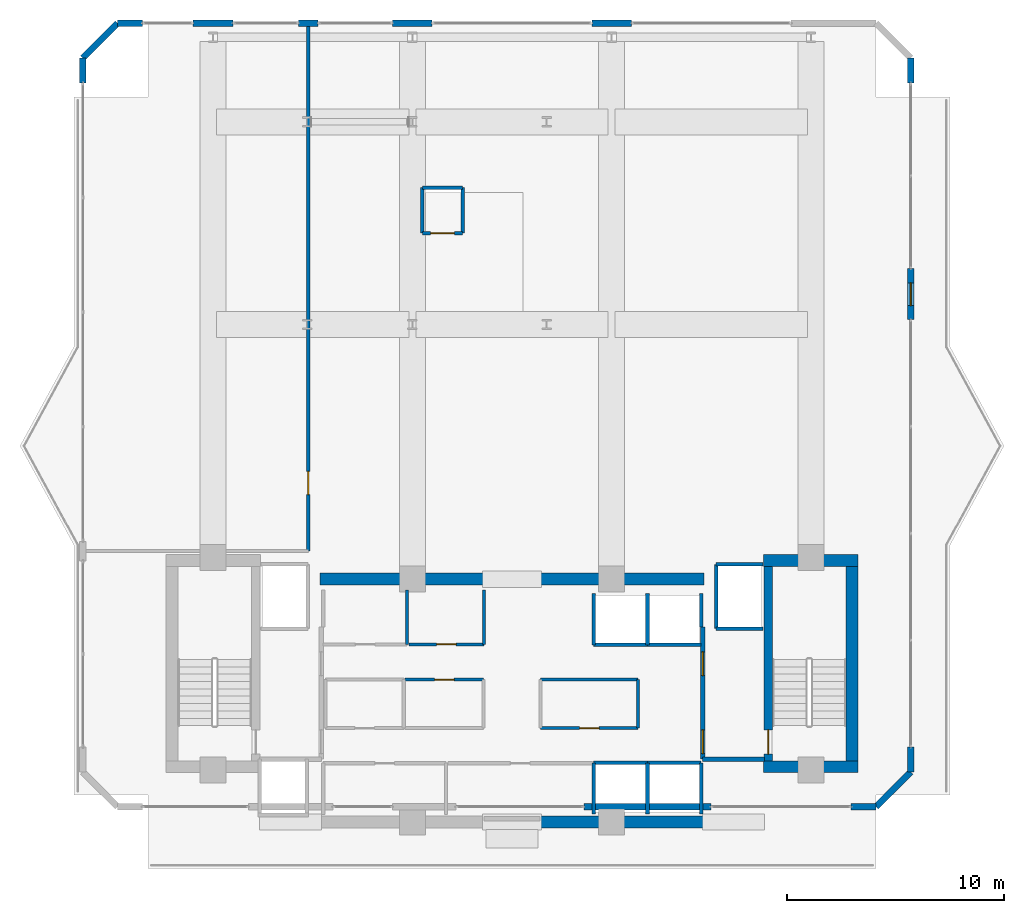
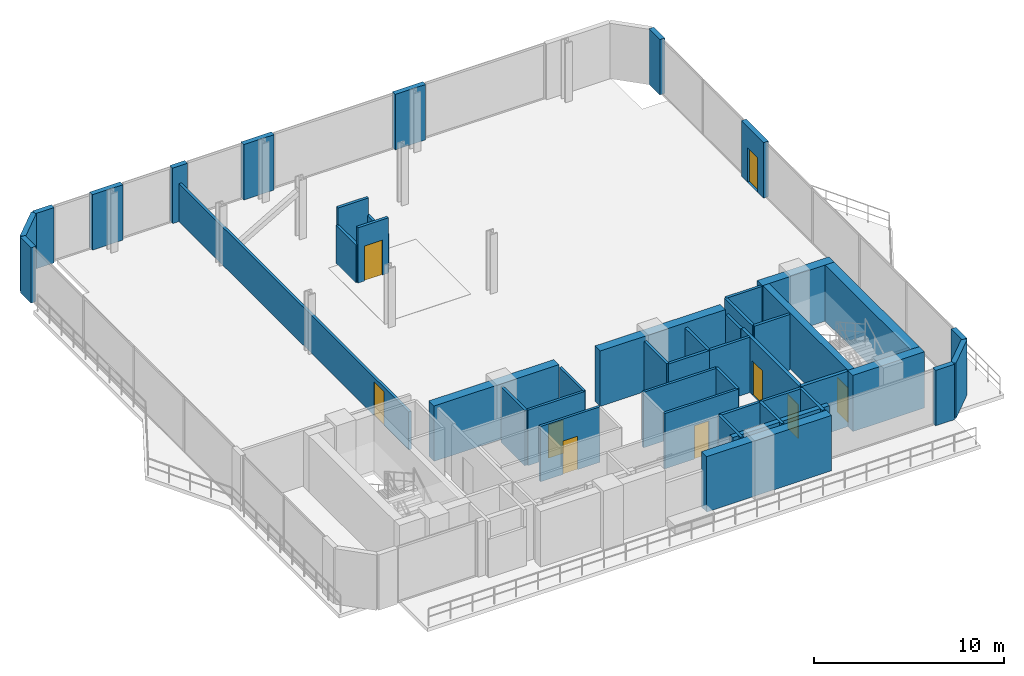
# One storey, part 23 of 27: 47 walls, 9 doors, 9 openings.
"""IFC4 building model written with IfcOpenShell, lengths in metres."""

from ifc_helpers import new_model, si_unit, direction, frame, frame_2d, origin, place, context, subcontext, project, spatial, rectangle, extrude, material, layer, layer_set, type_object, element, fill, save


model = new_model("IFC4")

# Units and contexts
model_context = context("Model", 3, precision=1e-05, world=origin(), true_north=direction((0.0, 1.0)))
body_context = subcontext(model_context, "Body", "Model", "MODEL_VIEW")
ifc_project = project(units=[si_unit("LENGTHUNIT", "METRE"), si_unit("AREAUNIT", "SQUARE_METRE"), si_unit("VOLUMEUNIT", "CUBIC_METRE"), si_unit("PLANEANGLEUNIT", "RADIAN"), si_unit("MASSUNIT", "GRAM", prefix="KILO")], contexts=[model_context])

# Site, building, storey
site_placement = place(None, origin())
site = spatial("IfcSite", under=ifc_project, at=site_placement, CompositionType="ELEMENT")
building_placement = place(site_placement, origin())
building = spatial("IfcBuilding", under=site, at=building_placement, Name="Zuhayl Quay Hotel", CompositionType="ELEMENT")
storey_placement = place(building_placement, frame((0.0, 0.0, 297.25)))
storey = spatial("IfcBuildingStorey", under=building, at=storey_placement, Name="Crown 1", CompositionType="ELEMENT", Elevation=297.25)

# Walls
ifc_material_1 = material(Name="Concrete C50/60", Category="concrete")
ifc_layer_1 = layer(ifc_material_1, 0.550048828125, Name="Concrete C50/60", Category="concrete")
ifc_layer_set_1 = layer_set([ifc_layer_1], Name="Concrete C50/60")
wall_type_1 = type_object("IfcWallType", Name="WL_CORE_550", PredefinedType="SHEAR", material=ifc_layer_set_1)
wall_1_placement = place(storey_placement, frame((11.60009765625, 14.205078125, 0.0), z_axis=(0.0, 0.0, 1.0), x_axis=(1.0, 0.0, 0.0)))
element("IfcWall", 1, at=wall_1_placement, inside=storey, type_object=wall_type_1, Name="Crown 1 Core Shear Wall CW_NE", PredefinedType="SHEAR", context=body_context, shape_type="SweptSolid", body=[
    extrude(rectangle(XDim=4.35986328125, YDim=0.550048828125, at=frame_2d((2.179931640625, 0.0))), origin(), (0.0, 0.0, 1.0), 3.610107421875),
])
wall_2_placement = place(storey_placement, frame((15.68505859375, 4.969970703125, 0.0), z_axis=(0.0, 0.0, 1.0), x_axis=(0.0, 1.0, 0.0)))
element("IfcWall", 2, at=wall_2_placement, inside=storey, type_object=wall_type_1, Name="Crown 1 Core Shear Wall CW_E", PredefinedType="SHEAR", context=body_context, shape_type="SweptSolid", body=[
    extrude(rectangle(XDim=8.9599609375, YDim=0.550048828125, at=frame_2d((4.47998046875, 0.0))), origin(), (0.0, 0.0, 1.0), 3.610107421875),
])
wall_3_placement = place(storey_placement, frame((11.60009765625, 4.695068359375, 0.0), z_axis=(0.0, 0.0, 1.0), x_axis=(1.0, 0.0, 0.0)))
element("IfcWall", 3, at=wall_3_placement, inside=storey, type_object=wall_type_1, Name="Crown 1 Core Shear Wall CW_SE", PredefinedType="SHEAR", context=body_context, shape_type="SweptSolid", body=[
    extrude(rectangle(XDim=4.35986328125, YDim=0.550048828125, at=frame_2d((2.179931640625, 0.0))), origin(), (0.0, 0.0, 1.0), 3.610107421875),
])
for number, where, z_axis, x_axis, name in (
    (4, (1.25, 2.14990234375, 0.0), (0.0, 0.0, 1.0), (1.0, 0.0, 0.0), "Crown 1 Core Shear Wall CW_SC_E"),
    (5, (-8.85009765625, 13.35009765625, 0.0), (0.0, 0.0, 1.0), (1.0, 0.0, 0.0), "Crown 1 Core Shear Wall CW_NC_W"),
    (6, (1.25, 13.35009765625, 0.0), (0.0, 0.0, 1.0), (1.0, 0.0, 0.0), "Crown 1 Core Shear Wall CW_NC_E"),
):
    element("IfcWall", number, at=place(storey_placement, frame(where, z_axis=z_axis, x_axis=x_axis)), inside=storey, type_object=wall_type_1, Name=name, PredefinedType="SHEAR", context=body_context, shape_type="SweptSolid", body=[
        extrude(rectangle(XDim=7.60009765625, YDim=0.550048828125, at=frame_2d((3.800048828125, 0.0))), origin(), (0.0, 0.0, 1.0), 3.56005859375),
    ])
ifc_material_2 = material(Name="Precast concrete C45/55", Category="concrete")
ifc_layer_2 = layer(ifc_material_2, 0.300048828125, Name="Precast concrete C45/55", Category="concrete")
ifc_layer_set_2 = layer_set([ifc_layer_2], Name="Precast concrete C45/55")
wall_type_2 = type_object("IfcWallType", Name="WL_EXT_300", PredefinedType="STANDARD", material=ifc_layer_set_2)
wall_4_placement = place(storey_placement, frame((-19.800048828125, 36.25, 0.0), z_axis=(0.0, 0.0, 1.0), x_axis=(0.0, 1.0, 0.0)))
element("IfcWall", 7, at=wall_4_placement, inside=storey, type_object=wall_type_2, Name="Crown 1 Exterior Precast Wall ENV_CR1_E1_EW3", PredefinedType="STANDARD", context=body_context, shape_type="SweptSolid", body=[
    extrude(rectangle(XDim=1.14990234375, YDim=0.300048828125, at=frame_2d((0.574951171875, 0.0))), origin(), (0.0, 0.0, 1.0), 3.56005859375),
])
wall_5_placement = place(storey_placement, frame((-19.800048828125, 37.39990234375, 0.0), z_axis=(0.0, 0.0, 1.0), x_axis=(0.707106781187, 0.707106781187, 0.0)))
element("IfcWall", 8, at=wall_5_placement, inside=storey, type_object=wall_type_2, Name="Crown 1 Exterior Precast Wall ENV_CR1_EW2", PredefinedType="STANDARD", context=body_context, shape_type="SweptSolid", body=[
    extrude(rectangle(XDim=2.262939453125, YDim=0.300048828125, at=frame_2d((1.13134765625, 0.0))), origin(), (0.0, 0.0, 1.0), 3.56005859375),
])
wall_6_placement = place(storey_placement, frame((-18.199951171875, 39.0, 0.0), z_axis=(0.0, 0.0, 1.0), x_axis=(1.0, 0.0, 0.0)))
element("IfcWall", 9, at=wall_6_placement, inside=storey, type_object=wall_type_2, Name="Crown 1 Exterior Precast Wall ENV_CR1_E3_EW1", PredefinedType="STANDARD", context=body_context, shape_type="SweptSolid", body=[
    extrude(rectangle(XDim=1.14990234375, YDim=0.300048828125, at=frame_2d((0.574951171875, 0.0))), origin(), (0.0, 0.0, 1.0), 3.56005859375),
])
wall_7_placement = place(storey_placement, frame((-14.719970703125, 39.0, 0.0), z_axis=(0.0, 0.0, 1.0), x_axis=(1.0, 0.0, 0.0)))
element("IfcWall", 10, at=wall_7_placement, inside=storey, type_object=wall_type_2, Name="Crown 1 Exterior Precast Wall ENV_CR1_E3_EW2", PredefinedType="STANDARD", context=body_context, shape_type="SweptSolid", body=[
    extrude(rectangle(XDim=1.840087890625, YDim=0.300048828125, at=frame_2d((0.919921875, 0.0))), origin(), (0.0, 0.0, 1.0), 3.56005859375),
])
wall_8_placement = place(storey_placement, frame((-9.85009765625, 39.0, 0.0), z_axis=(0.0, 0.0, 1.0), x_axis=(1.0, 0.0, 0.0)))
element("IfcWall", 11, at=wall_8_placement, inside=storey, type_object=wall_type_2, Name="Crown 1 Exterior Precast Wall ENV_CR1_E3_EW3", PredefinedType="STANDARD", context=body_context, shape_type="SweptSolid", body=[
    extrude(rectangle(XDim=0.900146484375, YDim=0.300048828125, at=frame_2d((0.4501953125, 0.0))), origin(), (0.0, 0.0, 1.0), 3.56005859375),
])
for number, where, z_axis, x_axis, name in (
    (12, (-5.52001953125, 39.0, 0.0), (0.0, 0.0, 1.0), (1.0, 0.0, 0.0), "Crown 1 Exterior Precast Wall ENV_CR1_E3_EW4"),
    (13, (3.679931640625, 39.0, 0.0), (0.0, 0.0, 1.0), (1.0, 0.0, 0.0), "Crown 1 Exterior Precast Wall ENV_CR1_E3_EW5"),
):
    element("IfcWall", number, at=place(storey_placement, frame(where, z_axis=z_axis, x_axis=x_axis)), inside=storey, type_object=wall_type_2, Name=name, PredefinedType="STANDARD", context=body_context, shape_type="SweptSolid", body=[
        extrude(rectangle(XDim=1.840087890625, YDim=0.300048828125, at=frame_2d((0.919921875, 0.0))), origin(), (0.0, 0.0, 1.0), 3.56005859375),
    ])
wall_9_placement = place(storey_placement, frame((18.39990234375, 37.39990234375, 0.0), z_axis=(0.0, 0.0, 1.0), x_axis=(0.0, -1.0, 0.0)))
element("IfcWall", 14, at=wall_9_placement, inside=storey, type_object=wall_type_2, Name="Crown 1 Exterior Precast Wall ENV_CR1_E5_EW1", PredefinedType="STANDARD", context=body_context, shape_type="SweptSolid", body=[
    extrude(rectangle(XDim=1.14990234375, YDim=0.300048828125, at=frame_2d((0.574951171875, 0.0))), origin(), (0.0, 0.0, 1.0), 3.56005859375),
])

# Wall, opening, door
wall_10_placement = place(storey_placement, frame((18.39990234375, 27.675048828125, 0.0), z_axis=(0.0, 0.0, 1.0), x_axis=(0.0, -1.0, 0.0)))
wall_10 = element("IfcWall", 15, at=wall_10_placement, inside=storey, type_object=wall_type_2, Name="Crown 1 Exterior Precast Wall ENV_CR1_E5_EW2", PredefinedType="STANDARD", context=body_context, shape_type="SweptSolid", body=[
    extrude(rectangle(XDim=2.35009765625, YDim=0.300048828125, at=frame_2d((1.175048828125, 0.0))), origin(), (0.0, 0.0, 1.0), 3.56005859375),
])
opening_1_placement = place(wall_10_placement, frame((0.64990234375, 0.0, 0.0)))
opening_1 = element("IfcOpeningElement", 16, at=opening_1_placement, cuts=wall_10, Name="Opening DG1", PredefinedType="OPENING", context=body_context, shape_type="SweptSolid", body=[
    extrude(rectangle(XDim=1.050048828125, YDim=2.199951171875, at=frame_2d((0.52490234375, 1.10009765625))), frame((0.0, 0.159912109375, 0.0), z_axis=(0.0, -1.0, 0.0), x_axis=(1.0, 0.0, 0.0)), (0.0, 0.0, 1.0), 0.320068359375),
])
ifc_material_3 = material(Name="Anodised Aluminium and Dark Solar Glass", Category="aluminium")
door_type_1 = type_object("IfcDoorType", Name="DR_EXT_TERR_1050", OperationType="NOTDEFINED", PredefinedType="DOOR", material=ifc_material_3)
door_1_placement = place(opening_1_placement, origin())
door_1 = element("IfcDoor", 17, at=door_1_placement, inside=storey, type_object=door_type_1, Name="Crown 1 Stepped Crown Terrace Access Door", OperationType="SINGLE_SWING_RIGHT", OverallHeight=2.199951171875, OverallWidth=1.050048828125, PredefinedType="DOOR", context=body_context, shape_type="SweptSolid", body=[
    extrude(rectangle(XDim=1.050048828125, YDim=2.199951171875, at=frame_2d((0.52490234375, 1.10009765625))), frame((0.0, 0.02490234375, 0.0), z_axis=(0.0, -1.0, 0.0), x_axis=(1.0, 0.0, 0.0)), (0.0, 0.0, 1.0), 0.050048828125),
])
fill(opening_1, door_1)

# Walls
wall_11_placement = place(storey_placement, frame((18.39990234375, 5.60009765625, 0.0), z_axis=(0.0, 0.0, 1.0), x_axis=(0.0, -1.0, 0.0)))
element("IfcWall", 18, at=wall_11_placement, inside=storey, type_object=wall_type_2, Name="Crown 1 Exterior Precast Wall ENV_CR1_E5_EW3", PredefinedType="STANDARD", context=body_context, shape_type="SweptSolid", body=[
    extrude(rectangle(XDim=1.150146484375, YDim=0.300048828125, at=frame_2d((0.5751953125, 0.0))), origin(), (0.0, 0.0, 1.0), 3.56005859375),
])
wall_12_placement = place(storey_placement, frame((18.39990234375, 4.449951171875, 0.0), z_axis=(0.0, 0.0, 1.0), x_axis=(-0.707106781187, -0.707106781187, 0.0)))
element("IfcWall", 19, at=wall_12_placement, inside=storey, type_object=wall_type_2, Name="Crown 1 Exterior Precast Wall ENV_CR1_EW6", PredefinedType="STANDARD", context=body_context, shape_type="SweptSolid", body=[
    extrude(rectangle(XDim=2.262451171875, YDim=0.300048828125, at=frame_2d((1.13134765625, 0.0))), origin(), (0.0, 0.0, 1.0), 3.56005859375),
])
wall_13_placement = place(storey_placement, frame((16.800048828125, 2.85009765625, 0.0), z_axis=(0.0, 0.0, 1.0), x_axis=(-1.0, 0.0, 0.0)))
element("IfcWall", 20, at=wall_13_placement, inside=storey, type_object=wall_type_2, Name="Crown 1 Exterior Precast Wall ENV_CR1_E7_EW1", PredefinedType="STANDARD", context=body_context, shape_type="SweptSolid", body=[
    extrude(rectangle(XDim=1.150146484375, YDim=0.300048828125, at=frame_2d((0.5751953125, 0.0))), origin(), (0.0, 0.0, 1.0), 3.56005859375),
])
wall_14_placement = place(storey_placement, frame((9.179931640625, 2.85009765625, 0.0), z_axis=(0.0, 0.0, 1.0), x_axis=(-1.0, 0.0, 0.0)))
element("IfcWall", 21, at=wall_14_placement, inside=storey, type_object=wall_type_2, Name="Crown 1 Exterior Precast Wall ENV_CR1_E7_EW2", PredefinedType="STANDARD", context=body_context, shape_type="SweptSolid", body=[
    extrude(rectangle(XDim=5.85986328125, YDim=0.300048828125, at=frame_2d((2.929931640625, 0.0))), origin(), (0.0, 0.0, 1.0), 3.56005859375),
])

# Wall, opening, door
ifc_material_4 = material(Name="Acoustic Gypsum Partition STC-58")
ifc_layer_3 = layer(ifc_material_4, 0.14990234375, Name="Acoustic Gypsum Partition STC-58")
ifc_layer_set_3 = layer_set([ifc_layer_3], Name="Acoustic Gypsum Partition STC-58")
wall_type_3 = type_object("IfcWallType", Name="WL_PART_150", PredefinedType="PARTITIONING", material=ifc_layer_set_3)
wall_15_placement = place(storey_placement, frame((-4.760009765625, 10.340087890625, 0.0), z_axis=(0.0, 0.0, 1.0), x_axis=(1.0, 0.0, 0.0)))
wall_15 = element("IfcWall", 22, at=wall_15_placement, inside=storey, type_object=wall_type_3, Name="Crown 1 Partition IW_Crown 1_FMP_NW2_S", PredefinedType="PARTITIONING", context=body_context, shape_type="SweptSolid", body=[
    extrude(rectangle(XDim=3.469970703125, YDim=0.14990234375, at=frame_2d((1.73486328125, 0.0))), origin(), (0.0, 0.0, 1.0), 3.56005859375),
])
opening_2_placement = place(wall_15_placement, frame((1.284912109375, 0.0, 0.0)))
opening_2 = element("IfcOpeningElement", 23, at=opening_2_placement, cuts=wall_15, Name="Opening D06", PredefinedType="OPENING", context=body_context, shape_type="SweptSolid", body=[
    extrude(rectangle(XDim=0.89990234375, YDim=2.14990234375, at=frame_2d((0.449951171875, 1.074951171875))), frame((0.0, 0.0849609375, 0.0), z_axis=(0.0, -1.0, 0.0), x_axis=(1.0, 0.0, 0.0)), (0.0, 0.0, 1.0), 0.169921875),
])
ifc_material_5 = material(Name="Steel ASTM A992 Grade 50", Category="steel")
door_type_2 = type_object("IfcDoorType", Name="DR_INT_900", OperationType="NOTDEFINED", PredefinedType="DOOR", material=ifc_material_5)
door_2_placement = place(opening_2_placement, origin())
door_2 = element("IfcDoor", 24, at=door_2_placement, inside=storey, type_object=door_type_2, Name="Crown 1 North Linen Closet Door", OperationType="SINGLE_SWING_RIGHT", OverallHeight=2.14990234375, OverallWidth=0.89990234375, PredefinedType="DOOR", context=body_context, shape_type="SweptSolid", body=[
    extrude(rectangle(XDim=0.89990234375, YDim=2.14990234375, at=frame_2d((0.449951171875, 1.074951171875))), frame((0.0, 0.02490234375, 0.0), z_axis=(0.0, -1.0, 0.0), x_axis=(1.0, 0.0, 0.0)), (0.0, 0.0, 1.0), 0.050048828125),
])
fill(opening_2, door_2)

wall_16_placement = place(storey_placement, frame((-4.929931640625, 8.719970703125, 0.0), z_axis=(0.0, 0.0, 1.0), x_axis=(1.0, 0.0, 0.0)))
wall_16 = element("IfcWall", 25, at=wall_16_placement, inside=storey, type_object=wall_type_3, Name="Crown 1 Partition IW_Crown 1_CORE_BM_N", PredefinedType="PARTITIONING", context=body_context, shape_type="SweptSolid", body=[
    extrude(rectangle(XDim=3.60986328125, YDim=0.14990234375, at=frame_2d((1.804931640625, 0.0))), origin(), (0.0, 0.0, 1.0), 3.56005859375),
])
opening_3_placement = place(wall_16_placement, frame((1.35498046875, 0.0, 0.0)))
opening_3 = element("IfcOpeningElement", 26, at=opening_3_placement, cuts=wall_16, Name="Opening D06", PredefinedType="OPENING", context=body_context, shape_type="SweptSolid", body=[
    extrude(rectangle(XDim=0.89990234375, YDim=2.14990234375, at=frame_2d((0.449951171875, 1.074951171875))), frame((0.0, 0.0849609375, 0.0), z_axis=(0.0, -1.0, 0.0), x_axis=(1.0, 0.0, 0.0)), (0.0, 0.0, 1.0), 0.169921875),
])
door_3_placement = place(opening_3_placement, origin())
door_3 = element("IfcDoor", 27, at=door_3_placement, inside=storey, type_object=door_type_2, Name="Crown 1 Telecom and BMS Closet Door", OperationType="SINGLE_SWING_RIGHT", OverallHeight=2.14990234375, OverallWidth=0.89990234375, PredefinedType="DOOR", context=body_context, shape_type="SweptSolid", body=[
    extrude(rectangle(XDim=0.89990234375, YDim=2.14990234375, at=frame_2d((0.449951171875, 1.074951171875))), frame((0.0, 0.02490234375, 0.0), z_axis=(0.0, -1.0, 0.0), x_axis=(1.0, 0.0, 0.0)), (0.0, 0.0, 1.0), 0.050048828125),
])
fill(opening_3, door_3)

wall_17_placement = place(storey_placement, frame((1.320068359375, 6.47998046875, 0.0), z_axis=(0.0, 0.0, 1.0), x_axis=(1.0, 0.0, 0.0)))
wall_17 = element("IfcWall", 28, at=wall_17_placement, inside=storey, type_object=wall_type_3, Name="Crown 1 Partition IW_Crown 1_CORE_PN_S", PredefinedType="PARTITIONING", context=body_context, shape_type="SweptSolid", body=[
    extrude(rectangle(XDim=4.489990234375, YDim=0.14990234375, at=frame_2d((2.2451171875, 0.0))), origin(), (0.0, 0.0, 1.0), 3.56005859375),
])
opening_4_placement = place(wall_17_placement, frame((1.794921875, 0.0, 0.0)))
opening_4 = element("IfcOpeningElement", 29, at=opening_4_placement, cuts=wall_17, Name="Opening D06", PredefinedType="OPENING", context=body_context, shape_type="SweptSolid", body=[
    extrude(rectangle(XDim=0.89990234375, YDim=2.14990234375, at=frame_2d((0.449951171875, 1.074951171875))), frame((0.0, 0.0849609375, 0.0), z_axis=(0.0, -1.0, 0.0), x_axis=(1.0, 0.0, 0.0)), (0.0, 0.0, 1.0), 0.169921875),
])
door_4_placement = place(opening_4_placement, origin())
door_4 = element("IfcDoor", 30, at=door_4_placement, inside=storey, type_object=door_type_2, Name="Crown 1 Core Ice and Pantry Room Door", OperationType="SINGLE_SWING_LEFT", OverallHeight=2.14990234375, OverallWidth=0.89990234375, PredefinedType="DOOR", context=body_context, shape_type="SweptSolid", body=[
    extrude(rectangle(XDim=0.89990234375, YDim=2.14990234375, at=frame_2d((0.449951171875, 1.074951171875))), frame((0.0, 0.02490234375, 0.0), z_axis=(0.0, -1.0, 0.0), x_axis=(1.0, 0.0, 0.0)), (0.0, 0.0, 1.0), 0.050048828125),
])
fill(opening_4, door_4)

# Walls
for number, where, z_axis, x_axis, name in (
    (31, (-4.840087890625, 10.340087890625, 0.0), (0.0, 0.0, 1.0), (0.0, 1.0, 0.0), "Crown 1 Partition IW_Crown 1_FMP_NW1_E"),
    (32, (-1.2900390625, 10.340087890625, 0.0), (0.0, 0.0, 1.0), (0.0, 1.0, 0.0), "Crown 1 Partition IW_Crown 1_FMP_NW2_E"),
):
    element("IfcWall", number, at=place(storey_placement, frame(where, z_axis=z_axis, x_axis=x_axis)), inside=storey, type_object=wall_type_3, Name=name, PredefinedType="PARTITIONING", context=body_context, shape_type="SweptSolid", body=[
        extrude(rectangle(XDim=2.52001953125, YDim=0.14990234375, at=frame_2d((1.260009765625, 0.0))), origin(), (0.0, 0.0, 1.0), 3.56005859375),
    ])
wall_18_placement = place(storey_placement, frame((1.320068359375, 8.719970703125, 0.0), z_axis=(0.0, 0.0, 1.0), x_axis=(1.0, 0.0, 0.0)))
element("IfcWall", 33, at=wall_18_placement, inside=storey, type_object=wall_type_3, Name="Crown 1 Partition IW_Crown 1_CORE_PN_N", PredefinedType="PARTITIONING", context=body_context, shape_type="SweptSolid", body=[
    extrude(rectangle(XDim=4.489990234375, YDim=0.14990234375, at=frame_2d((2.2451171875, 0.0))), origin(), (0.0, 0.0, 1.0), 3.56005859375),
])
wall_19_placement = place(storey_placement, frame((5.81005859375, 6.47998046875, 0.0), z_axis=(0.0, 0.0, 1.0), x_axis=(0.0, 1.0, 0.0)))
element("IfcWall", 34, at=wall_19_placement, inside=storey, type_object=wall_type_3, Name="Crown 1 Partition IW_Crown 1_CORE_PN_E", PredefinedType="PARTITIONING", context=body_context, shape_type="SweptSolid", body=[
    extrude(rectangle(XDim=2.239990234375, YDim=0.14990234375, at=frame_2d((1.1201171875, 0.0))), origin(), (0.0, 0.0, 1.0), 3.56005859375),
])

# Wall, opening, door
ifc_layer_4 = layer(ifc_material_4, 0.159912109375, Name="Acoustic Gypsum Partition STC-58")
ifc_layer_set_4 = layer_set([ifc_layer_4], Name="Acoustic Gypsum Partition STC-58")
wall_type_4 = type_object("IfcWallType", Name="WL_PART_CORR_160", PredefinedType="PARTITIONING", material=ifc_layer_set_4)
wall_20_placement = place(storey_placement, frame((-9.39990234375, 14.64990234375, 0.0), z_axis=(0.0, 0.0, 1.0), x_axis=(0.0, 1.0, 0.0)))
wall_20 = element("IfcWall", 35, at=wall_20_placement, inside=storey, type_object=wall_type_4, Name="Crown 1 Partition IW_CR1_PLT_E", PredefinedType="PARTITIONING", context=body_context, shape_type="SweptSolid", body=[
    extrude(rectangle(XDim=24.2900390625, YDim=0.159912109375, at=frame_2d((12.14501953125, 0.0))), origin(), (0.0, 0.0, 1.0), 2.44189453125),
])
opening_5_placement = place(wall_20_placement, frame((2.60009765625, 0.0, 0.0)))
opening_5 = element("IfcOpeningElement", 36, at=opening_5_placement, cuts=wall_20, Name="Opening D05A", PredefinedType="OPENING", context=body_context, shape_type="SweptSolid", body=[
    extrude(rectangle(XDim=1.080078125, YDim=2.179931640625, at=frame_2d((0.5400390625, 1.08984375))), frame((0.0, 0.08984375, 0.0), z_axis=(0.0, -1.0, 0.0), x_axis=(1.0, 0.0, 0.0)), (0.0, 0.0, 1.0), 0.179931640625),
])
ifc_material_6 = material(Name="Solid Walnut Acoustic Fire Door")
door_type_3 = type_object("IfcDoorType", Name="DR_INT_1100", OperationType="NOTDEFINED", PredefinedType="DOOR", material=ifc_material_6)
door_5_placement = place(opening_5_placement, origin())
door_5 = element("IfcDoor", 37, at=door_5_placement, inside=storey, type_object=door_type_3, Name="Crown 1 Plant Room Door", OperationType="SINGLE_SWING_RIGHT", OverallHeight=2.179931640625, OverallWidth=1.080078125, PredefinedType="DOOR", context=body_context, shape_type="SweptSolid", body=[
    extrude(rectangle(XDim=1.080078125, YDim=2.179931640625, at=frame_2d((0.5400390625, 1.08984375))), frame((0.0, 0.02490234375, 0.0), z_axis=(0.0, -1.0, 0.0), x_axis=(1.0, 0.0, 0.0)), (0.0, 0.0, 1.0), 0.050048828125),
])
fill(opening_5, door_5)

ifc_material_7 = material(Name="Gypsum Fireboard Assembly EI-90")
ifc_layer_5 = layer(ifc_material_7, 0.1650390625, Name="Gypsum Fireboard Assembly EI-90")
ifc_layer_set_5 = layer_set([ifc_layer_5], Name="Gypsum Fireboard Assembly EI-90")
wall_type_5 = type_object("IfcWallType", Name="WL_PART_SHAFT_160", PredefinedType="PARTITIONING", material=ifc_layer_set_5)
wall_21_placement = place(storey_placement, frame((-4.139892578125, 29.320068359375, 0.0), z_axis=(0.0, 0.0, 1.0), x_axis=(1.0, 0.0, 0.0)))
wall_21 = element("IfcWall", 38, at=wall_21_placement, inside=storey, type_object=wall_type_5, Name="Crown 1 Partition IW_CR1_SH_CLF1_F", PredefinedType="PARTITIONING", context=body_context, shape_type="SweptSolid", body=[
    extrude(rectangle(XDim=1.85986328125, YDim=0.1650390625, at=frame_2d((0.929931640625, 0.0))), origin(), (0.0, 0.0, 1.0), 3.56005859375),
])
opening_6_placement = place(wall_21_placement, frame((0.3798828125, 0.0, 0.0)))
opening_6 = element("IfcOpeningElement", 39, at=opening_6_placement, cuts=wall_21, Name="Opening LD1", PredefinedType="OPENING", context=body_context, shape_type="SweptSolid", body=[
    extrude(rectangle(XDim=1.10009765625, YDim=2.25, at=frame_2d((0.550048828125, 1.125))), frame((0.0, 0.092529296875, 0.0), z_axis=(0.0, -1.0, 0.0), x_axis=(1.0, 0.0, 0.0)), (0.0, 0.0, 1.0), 0.18505859375),
])
ifc_material_8 = material(Name="Brushed Stainless Steel", Category="steel")
door_type_4 = type_object("IfcDoorType", Name="DR_LIFT_PASS_1100", OperationType="SLIDING_TO_LEFT", PredefinedType="DOOR", material=ifc_material_8)
door_6_placement = place(opening_6_placement, origin())
door_6 = element("IfcDoor", 40, at=door_6_placement, inside=storey, type_object=door_type_4, Name="Crown 1 Lift CLF1 Sliding Landing Door", OperationType="SLIDING_TO_LEFT", OverallHeight=2.25, OverallWidth=1.10009765625, PredefinedType="DOOR", context=body_context, shape_type="SweptSolid", body=[
    extrude(rectangle(XDim=1.10009765625, YDim=2.25, at=frame_2d((0.550048828125, 1.125))), frame((0.0, 0.02490234375, 0.0), z_axis=(0.0, -1.0, 0.0), x_axis=(1.0, 0.0, 0.0)), (0.0, 0.0, 1.0), 0.050048828125),
])
fill(opening_6, door_6)

# Walls
for number, where, z_axis, x_axis, name in (
    (41, (-4.139892578125, 29.320068359375, 0.0), (0.0, 0.0, 1.0), (0.0, 1.0, 0.0), "Crown 1 Partition IW_CR1_SH_CLF1_W"),
    (42, (-2.280029296875, 29.320068359375, 0.0), (0.0, 0.0, 1.0), (0.0, 1.0, 0.0), "Crown 1 Partition IW_CR1_SH_CLF1_E"),
):
    element("IfcWall", number, at=place(storey_placement, frame(where, z_axis=z_axis, x_axis=x_axis)), inside=storey, type_object=wall_type_5, Name=name, PredefinedType="PARTITIONING", context=body_context, shape_type="SweptSolid", body=[
        extrude(rectangle(XDim=2.099853515625, YDim=0.1650390625, at=frame_2d((1.0498046875, 0.0))), origin(), (0.0, 0.0, 1.0), 2.44189453125),
    ])
wall_22_placement = place(storey_placement, frame((-4.139892578125, 31.419921875, 0.0), z_axis=(0.0, 0.0, 1.0), x_axis=(1.0, 0.0, 0.0)))
element("IfcWall", 43, at=wall_22_placement, inside=storey, type_object=wall_type_5, Name="Crown 1 Partition IW_CR1_SH_CLF1_N", PredefinedType="PARTITIONING", context=body_context, shape_type="SweptSolid", body=[
    extrude(rectangle(XDim=1.85986328125, YDim=0.1650390625, at=frame_2d((0.929931640625, 0.0))), origin(), (0.0, 0.0, 1.0), 3.56005859375),
])
wall_23_placement = place(storey_placement, frame((9.419921875, 11.070068359375, 0.0), z_axis=(0.0, 0.0, 1.0), x_axis=(1.0, 0.0, 0.0)))
element("IfcWall", 44, at=wall_23_placement, inside=storey, type_object=wall_type_5, Name="Crown 1 Partition IW_Crown 1_SH_FL2_F", PredefinedType="PARTITIONING", context=body_context, shape_type="SweptSolid", body=[
    extrude(rectangle(XDim=2.16015625, YDim=0.1650390625, at=frame_2d((1.080078125, 0.0))), origin(), (0.0, 0.0, 1.0), 3.56005859375),
])
wall_24_placement = place(storey_placement, frame((9.419921875, 11.070068359375, 0.0), z_axis=(0.0, 0.0, 1.0), x_axis=(0.0, 1.0, 0.0)))
element("IfcWall", 45, at=wall_24_placement, inside=storey, type_object=wall_type_5, Name="Crown 1 Partition IW_Crown 1_SH_FL2_W", PredefinedType="PARTITIONING", context=body_context, shape_type="SweptSolid", body=[
    extrude(rectangle(XDim=2.9599609375, YDim=0.1650390625, at=frame_2d((1.47998046875, 0.0))), origin(), (0.0, 0.0, 1.0), 3.56005859375),
])
wall_25_placement = place(storey_placement, frame((9.419921875, 14.030029296875, 0.0), z_axis=(0.0, 0.0, 1.0), x_axis=(1.0, 0.0, 0.0)))
element("IfcWall", 46, at=wall_25_placement, inside=storey, type_object=wall_type_5, Name="Crown 1 Partition IW_Crown 1_SH_FL2_B", PredefinedType="PARTITIONING", context=body_context, shape_type="SweptSolid", body=[
    extrude(rectangle(XDim=2.16015625, YDim=0.1650390625, at=frame_2d((1.080078125, 0.0))), origin(), (0.0, 0.0, 1.0), 3.56005859375),
])
wall_26_placement = place(storey_placement, frame((3.77001953125, 4.8798828125, 0.0), z_axis=(0.0, 0.0, 1.0), x_axis=(1.0, 0.0, 0.0)))
element("IfcWall", 47, at=wall_26_placement, inside=storey, type_object=wall_type_5, Name="Crown 1 Partition IW_Crown 1_SH_HP1_F", PredefinedType="PARTITIONING", context=body_context, shape_type="SweptSolid", body=[
    extrude(rectangle(XDim=2.47998046875, YDim=0.1650390625, at=frame_2d((1.239990234375, 0.0))), origin(), (0.0, 0.0, 1.0), 3.56005859375),
])
for number, where, z_axis, x_axis, name in (
    (48, (3.77001953125, 2.52001953125, 0.0), (0.0, 0.0, 1.0), (0.0, 1.0, 0.0), "Crown 1 Partition IW_Crown 1_SH_HP1_W"),
    (49, (6.25, 2.52001953125, 0.0), (0.0, 0.0, 1.0), (0.0, 1.0, 0.0), "Crown 1 Partition IW_Crown 1_SH_HP1_E"),
):
    element("IfcWall", number, at=place(storey_placement, frame(where, z_axis=z_axis, x_axis=x_axis)), inside=storey, type_object=wall_type_5, Name=name, PredefinedType="PARTITIONING", context=body_context, shape_type="SweptSolid", body=[
        extrude(rectangle(XDim=2.35986328125, YDim=0.1650390625, at=frame_2d((1.179931640625, 0.0))), origin(), (0.0, 0.0, 1.0), 3.56005859375),
    ])
wall_27_placement = place(storey_placement, frame((6.25, 4.8798828125, 0.0), z_axis=(0.0, 0.0, 1.0), x_axis=(1.0, 0.0, 0.0)))
element("IfcWall", 50, at=wall_27_placement, inside=storey, type_object=wall_type_5, Name="Crown 1 Partition IW_Crown 1_SH_HP2_F", PredefinedType="PARTITIONING", context=body_context, shape_type="SweptSolid", body=[
    extrude(rectangle(XDim=2.47998046875, YDim=0.1650390625, at=frame_2d((1.239990234375, 0.0))), origin(), (0.0, 0.0, 1.0), 3.56005859375),
])
wall_28_placement = place(storey_placement, frame((8.72998046875, 2.52001953125, 0.0), z_axis=(0.0, 0.0, 1.0), x_axis=(0.0, 1.0, 0.0)))
element("IfcWall", 51, at=wall_28_placement, inside=storey, type_object=wall_type_5, Name="Crown 1 Partition IW_Crown 1_SH_HP2_E", PredefinedType="PARTITIONING", context=body_context, shape_type="SweptSolid", body=[
    extrude(rectangle(XDim=2.35986328125, YDim=0.1650390625, at=frame_2d((1.179931640625, 0.0))), origin(), (0.0, 0.0, 1.0), 3.56005859375),
])
wall_29_placement = place(storey_placement, frame((3.77001953125, 10.320068359375, 0.0), z_axis=(0.0, 0.0, 1.0), x_axis=(1.0, 0.0, 0.0)))
element("IfcWall", 52, at=wall_29_placement, inside=storey, type_object=wall_type_5, Name="Crown 1 Partition IW_Crown 1_SH_HP3_F", PredefinedType="PARTITIONING", context=body_context, shape_type="SweptSolid", body=[
    extrude(rectangle(XDim=2.47998046875, YDim=0.1650390625, at=frame_2d((1.239990234375, 0.0))), origin(), (0.0, 0.0, 1.0), 3.56005859375),
])
for number, where, z_axis, x_axis, name in (
    (53, (3.77001953125, 10.320068359375, 0.0), (0.0, 0.0, 1.0), (0.0, 1.0, 0.0), "Crown 1 Partition IW_Crown 1_SH_HP3_W"),
    (54, (6.25, 10.320068359375, 0.0), (0.0, 0.0, 1.0), (0.0, 1.0, 0.0), "Crown 1 Partition IW_Crown 1_SH_HP3_E"),
):
    element("IfcWall", number, at=place(storey_placement, frame(where, z_axis=z_axis, x_axis=x_axis)), inside=storey, type_object=wall_type_5, Name=name, PredefinedType="PARTITIONING", context=body_context, shape_type="SweptSolid", body=[
        extrude(rectangle(XDim=2.35986328125, YDim=0.1650390625, at=frame_2d((1.179931640625, 0.0))), origin(), (0.0, 0.0, 1.0), 3.56005859375),
    ])
wall_30_placement = place(storey_placement, frame((6.25, 10.320068359375, 0.0), z_axis=(0.0, 0.0, 1.0), x_axis=(1.0, 0.0, 0.0)))
element("IfcWall", 55, at=wall_30_placement, inside=storey, type_object=wall_type_5, Name="Crown 1 Partition IW_Crown 1_SH_HP4_F", PredefinedType="PARTITIONING", context=body_context, shape_type="SweptSolid", body=[
    extrude(rectangle(XDim=2.47998046875, YDim=0.1650390625, at=frame_2d((1.239990234375, 0.0))), origin(), (0.0, 0.0, 1.0), 3.56005859375),
])
wall_31_placement = place(storey_placement, frame((8.72998046875, 11.14990234375, 0.0), z_axis=(0.0, 0.0, 1.0), x_axis=(0.0, 1.0, 0.0)))
element("IfcWall", 56, at=wall_31_placement, inside=storey, type_object=wall_type_5, Name="Crown 1 Partition IW_Crown 1_SH_HP4_E", PredefinedType="PARTITIONING", context=body_context, shape_type="SweptSolid", body=[
    extrude(rectangle(XDim=1.530029296875, YDim=0.1650390625, at=frame_2d((0.76513671875, 0.0))), origin(), (0.0, 0.0, 1.0), 3.56005859375),
])

# Wall, openings, doors
ifc_material_9 = material(Name="Gypsum Fireboard Assembly EI-120")
ifc_layer_6 = layer(ifc_material_9, 0.199951171875, Name="Gypsum Fireboard Assembly EI-120")
ifc_layer_set_6 = layer_set([ifc_layer_6], Name="Gypsum Fireboard Assembly EI-120")
wall_type_6 = type_object("IfcWallType", Name="WL_PART_SHAFT_200", PredefinedType="PARTITIONING", material=ifc_layer_set_6)
wall_32_placement = place(storey_placement, frame((8.800048828125, 11.14990234375, 0.0), z_axis=(0.0, 0.0, 1.0), x_axis=(0.0, -1.0, 0.0)))
wall_32 = element("IfcWall", 57, at=wall_32_placement, inside=storey, type_object=wall_type_6, Name="Crown 1 Partition IW_Crown 1_FSAE_E_W", PredefinedType="PARTITIONING", context=body_context, shape_type="SweptSolid", body=[
    extrude(rectangle(XDim=6.099853515625, YDim=0.199951171875, at=frame_2d((3.0498046875, 0.0))), origin(), (0.0, 0.0, 1.0), 3.56005859375),
])
opening_7_placement = place(wall_32_placement, frame((1.14990234375, 0.0, 0.0)))
opening_7 = element("IfcOpeningElement", 58, at=opening_7_placement, cuts=wall_32, Name="Opening D02", PredefinedType="OPENING", context=body_context, shape_type="SweptSolid", body=[
    extrude(rectangle(XDim=1.10009765625, YDim=2.199951171875, at=frame_2d((0.550048828125, 1.10009765625))), frame((0.0, 0.10986328125, 0.0), z_axis=(0.0, -1.0, 0.0), x_axis=(1.0, 0.0, 0.0)), (0.0, 0.0, 1.0), 0.219970703125),
])
opening_8_placement = place(wall_32_placement, frame((4.75, 0.0, 0.0)))
opening_8 = element("IfcOpeningElement", 59, at=opening_8_placement, cuts=wall_32, Name="Opening D02", PredefinedType="OPENING", context=body_context, shape_type="SweptSolid", body=[
    extrude(rectangle(XDim=1.10009765625, YDim=2.199951171875, at=frame_2d((0.550048828125, 1.10009765625))), frame((0.0, 0.10986328125, 0.0), z_axis=(0.0, -1.0, 0.0), x_axis=(1.0, 0.0, 0.0)), (0.0, 0.0, 1.0), 0.219970703125),
])
door_type_5 = type_object("IfcDoorType", Name="DR_FIRE_90_1100", OperationType="NOTDEFINED", PredefinedType="DOOR", material=ifc_material_5)
door_7_placement = place(opening_7_placement, origin())
door_7 = element("IfcDoor", 60, at=door_7_placement, inside=storey, type_object=door_type_5, Name="Crown 1 FSAE Lobby East North Entry Door", OperationType="SINGLE_SWING_LEFT", OverallHeight=2.199951171875, OverallWidth=1.10009765625, PredefinedType="DOOR", context=body_context, shape_type="SweptSolid", body=[
    extrude(rectangle(XDim=1.10009765625, YDim=2.199951171875, at=frame_2d((0.550048828125, 1.10009765625))), frame((0.0, 0.02490234375, 0.0), z_axis=(0.0, -1.0, 0.0), x_axis=(1.0, 0.0, 0.0)), (0.0, 0.0, 1.0), 0.050048828125),
])
fill(opening_7, door_7)
door_8_placement = place(opening_8_placement, origin())
door_8 = element("IfcDoor", 61, at=door_8_placement, inside=storey, type_object=door_type_5, Name="Crown 1 FSAE Lobby East South Entry Door", OperationType="SINGLE_SWING_RIGHT", OverallHeight=2.199951171875, OverallWidth=1.10009765625, PredefinedType="DOOR", context=body_context, shape_type="SweptSolid", body=[
    extrude(rectangle(XDim=1.10009765625, YDim=2.199951171875, at=frame_2d((0.550048828125, 1.10009765625))), frame((0.0, 0.02490234375, 0.0), z_axis=(0.0, -1.0, 0.0), x_axis=(1.0, 0.0, 0.0)), (0.0, 0.0, 1.0), 0.050048828125),
])
fill(opening_8, door_8)

# Wall
wall_33_placement = place(storey_placement, frame((8.800048828125, 5.050048828125, 0.0), z_axis=(0.0, 0.0, 1.0), x_axis=(1.0, 0.0, 0.0)))
element("IfcWall", 62, at=wall_33_placement, inside=storey, type_object=wall_type_6, Name="Crown 1 Partition IW_Crown 1_FSAE_E_S", PredefinedType="PARTITIONING", context=body_context, shape_type="SweptSolid", body=[
    extrude(rectangle(XDim=2.849853515625, YDim=0.199951171875, at=frame_2d((1.4248046875, 0.0))), origin(), (0.0, 0.0, 1.0), 3.56005859375),
])

# Wall, opening, door
ifc_material_10 = material(Name="Concrete C60/75", Category="concrete")
ifc_layer_7 = layer(ifc_material_10, 0.39990234375, Name="Concrete C60/75", Category="concrete")
ifc_layer_set_7 = layer_set([ifc_layer_7], Name="Concrete C60/75")
wall_type_7 = type_object("IfcWallType", Name="WL_STAIR_400", PredefinedType="SHEAR", material=ifc_layer_set_7)
wall_34_placement = place(storey_placement, frame((11.820068359375, 13.929931640625, 0.0), z_axis=(0.0, 0.0, 1.0), x_axis=(0.0, -1.0, 0.0)))
wall_34 = element("IfcWall", 63, at=wall_34_placement, inside=storey, type_object=wall_type_7, Name="Crown 1 Core Shear Wall SW_ST2", PredefinedType="SHEAR", context=body_context, shape_type="SweptSolid", body=[
    extrude(rectangle(XDim=8.9599609375, YDim=0.39990234375, at=frame_2d((4.47998046875, 0.0))), origin(), (0.0, 0.0, 1.0), 3.610107421875),
])
opening_9_placement = place(wall_34_placement, frame((7.530029296875, 0.0, 0.0)))
opening_9 = element("IfcOpeningElement", 64, at=opening_9_placement, cuts=wall_34, Name="Opening D01", PredefinedType="OPENING", context=body_context, shape_type="SweptSolid", body=[
    extrude(rectangle(XDim=1.1201171875, YDim=2.219970703125, at=frame_2d((0.56005859375, 1.10986328125))), frame((0.0, 0.2099609375, 0.0), z_axis=(0.0, -1.0, 0.0), x_axis=(1.0, 0.0, 0.0)), (0.0, 0.0, 1.0), 0.419921875),
])
door_type_6 = type_object("IfcDoorType", Name="DR_STAIR_90_1100", OperationType="NOTDEFINED", PredefinedType="DOOR", material=ifc_material_5)
door_9_placement = place(opening_9_placement, origin())
door_9 = element("IfcDoor", 65, at=door_9_placement, inside=storey, type_object=door_type_6, Name="Crown 1 Smokeproof Exit Stair ST2 Door", OperationType="SINGLE_SWING_RIGHT", OverallHeight=2.219970703125, OverallWidth=1.1201171875, PredefinedType="DOOR", context=body_context, shape_type="SweptSolid", body=[
    extrude(rectangle(XDim=1.1201171875, YDim=2.219970703125, at=frame_2d((0.56005859375, 1.10986328125))), frame((0.0, 0.02490234375, 0.0), z_axis=(0.0, -1.0, 0.0), x_axis=(1.0, 0.0, 0.0)), (0.0, 0.0, 1.0), 0.050048828125),
])
fill(opening_9, door_9)

save(model, "model.ifc")
